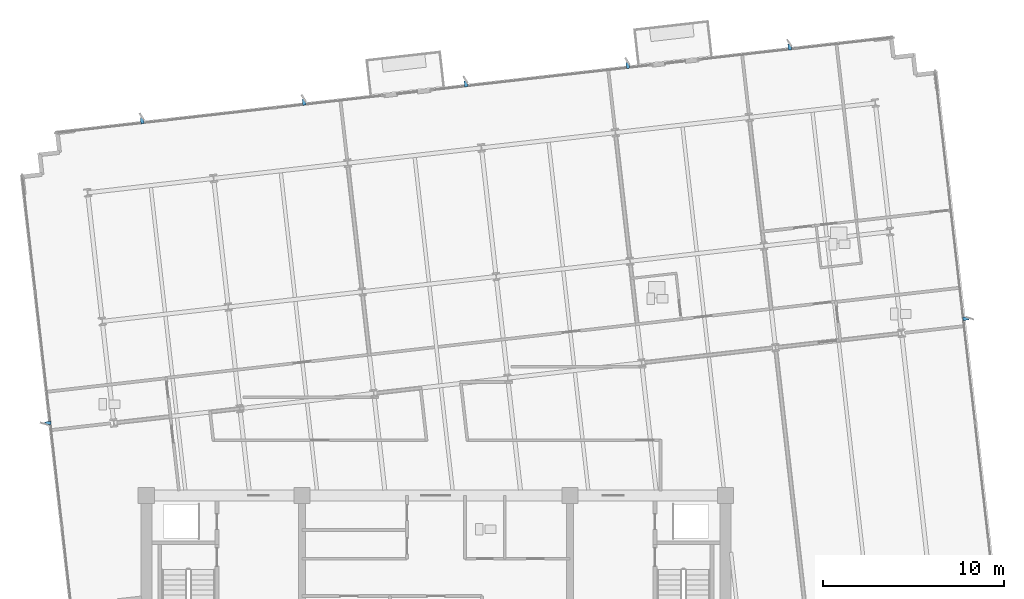
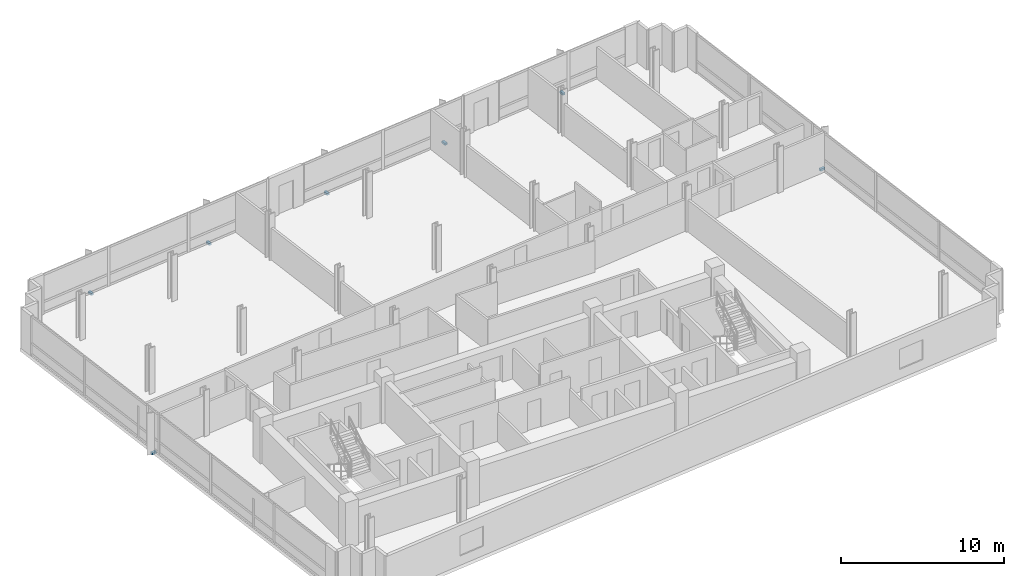
# One storey, part 11 of 14: 7 discrete accessories.
"""IFC4 building model written with IfcOpenShell, lengths in metres."""

from ifc_helpers import new_model, si_unit, direction, frame, origin, origin_2d, place, context, subcontext, project, spatial, rectangle, extrude, material, type_object, element, save


model = new_model("IFC4")

# Units and contexts
model_context = context("Model", 3, precision=1e-05, world=origin(), true_north=direction((0.0, 1.0)))
body_context = subcontext(model_context, "Body", "Model", "MODEL_VIEW")
ifc_project = project(units=[si_unit("LENGTHUNIT", "METRE"), si_unit("AREAUNIT", "SQUARE_METRE"), si_unit("VOLUMEUNIT", "CUBIC_METRE"), si_unit("PLANEANGLEUNIT", "RADIAN"), si_unit("MASSUNIT", "GRAM", prefix="KILO")], contexts=[model_context])

# Site, building, storey
site_placement = place(None, origin())
site = spatial("IfcSite", under=ifc_project, at=site_placement, CompositionType="ELEMENT")
building_placement = place(site_placement, origin())
building = spatial("IfcBuilding", under=site, at=building_placement, Name="Solmavex Isthmus Hotel", CompositionType="ELEMENT")
storey_placement = place(building_placement, frame((0.0, 0.0, 236.550048828125)))
storey = spatial("IfcBuildingStorey", under=building, at=storey_placement, Name="L64", CompositionType="ELEMENT", Elevation=236.550048828125)

# Discrete accessories
ifc_material = material(Name="Steel ASTM A572 Grade 50", Category="steel")
discrete_accessory_type = type_object("IfcDiscreteAccessoryType", Name="ACC-BRK-FIN", PredefinedType="BRACKET", material=ifc_material)
for number, where, z_axis, x_axis, name in (
    (1, (-16.22802734375, 18.21240234375, -0.169921875), (0.0, 0.0, 1.0), (-0.113203213768, 0.993571855677, 0.0), "Facade Fin Support Bracket L64-N1"),
    (2, (-7.285888671875, 19.231201171875, -0.169921875), (0.0, 0.0, 1.0), (-0.113203213768, 0.993571855677, 0.0), "Facade Fin Support Bracket L64-N2"),
    (3, (1.65625, 20.25, -0.169921875), (0.0, 0.0, 1.0), (-0.113203213768, 0.993571855677, 0.0), "Facade Fin Support Bracket L64-N3"),
    (4, (10.5986328125, 21.268798828125, -0.169921875), (0.0, 0.0, 1.0), (-0.113203213768, 0.993571855677, 0.0), "Facade Fin Support Bracket L64-N4"),
    (5, (19.540771484375, 22.28759765625, -0.169921875), (0.0, 0.0, 1.0), (-0.113203213768, 0.993571855677, 0.0), "Facade Fin Support Bracket L64-N5"),
    (6, (-21.43896484375, 1.494873046875, -0.169921875), (0.0, 0.0, 1.0), (-0.993571855677, -0.113203213768, 0.0), "Facade Fin Support Bracket L64-W1"),
    (7, (29.27294921875, 7.27294921875, -0.169921875), (0.0, 0.0, 1.0), (0.993571855677, 0.113203213768, 0.0), "Facade Fin Support Bracket L64-E1"),
):
    element("IfcDiscreteAccessory", number, at=place(storey_placement, frame(where, z_axis=z_axis, x_axis=x_axis)), inside=storey, type_object=discrete_accessory_type, Name=name, PredefinedType="BRACKET", context=body_context, shape_type="SweptSolid", body=[
        extrude(rectangle(XDim=0.340087890625, YDim=0.179931640625, at=origin_2d()), origin(), (0.0, 0.0, 1.0), 0.159912109375),
    ])

save(model, "model.ifc")
